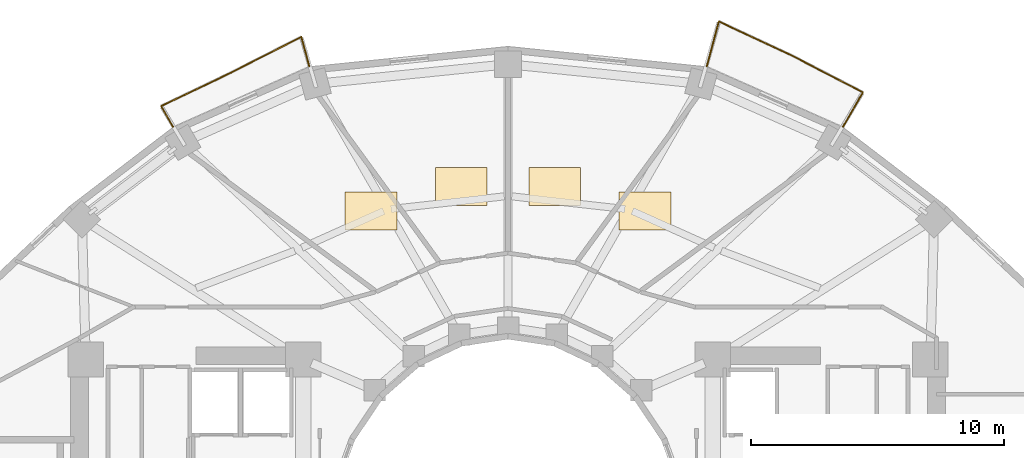
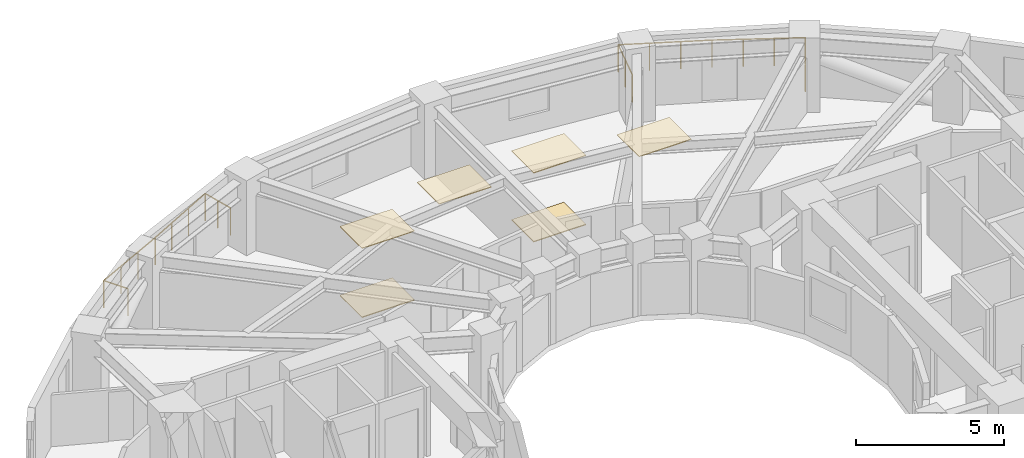
# One storey, part 10 of 10: 6 coverings, 2 railings.
"""IFC4 building model written with IfcOpenShell, lengths in metres."""

from ifc_helpers import new_model, si_unit, direction, frame, origin, origin_2d, place, context, subcontext, project, spatial, polyline, circle, outline, extrude, material, layer, layer_set, type_object, element, save


model = new_model("IFC4")

# Units and contexts
model_context = context("Model", 3, precision=1e-05, world=origin(), true_north=direction((0.0, 1.0)))
body_context = subcontext(model_context, "Body", "Model", "MODEL_VIEW")
ifc_project = project(units=[si_unit("LENGTHUNIT", "METRE"), si_unit("AREAUNIT", "SQUARE_METRE"), si_unit("VOLUMEUNIT", "CUBIC_METRE"), si_unit("PLANEANGLEUNIT", "RADIAN"), si_unit("MASSUNIT", "GRAM", prefix="KILO")], contexts=[model_context])

# Site, building, storey
site_placement = place(None, origin())
site = spatial("IfcSite", under=ifc_project, at=site_placement, CompositionType="ELEMENT")
building_placement = place(site_placement, origin())
building = spatial("IfcBuilding", under=site, at=building_placement, Name="Solvane Sanctuary Tower", CompositionType="ELEMENT")
storey_placement = place(building_placement, frame((0.0, 0.0, 107.300048828125)))
storey = spatial("IfcBuildingStorey", under=building, at=storey_placement, Name="L32", CompositionType="ELEMENT", Elevation=107.300048828125)

# Coverings
ifc_material_1 = material(Name="Acoustic Gypsum Partition Board")
ifc_layer_1 = layer(ifc_material_1, 0.02490234375, Name="Acoustic Gypsum Partition Board")
ifc_layer_set_1 = layer_set([ifc_layer_1], Name="Acoustic Gypsum Partition Board")
covering_type_1 = type_object("IfcCoveringType", Name="Covering CLG-ACOUST", PredefinedType="CEILING", material=ifc_layer_set_1)
covering_1_placement = place(storey_placement, frame((0.0, 0.0, 2.849853515625)))
element("IfcCovering", 1, at=covering_1_placement, inside=storey, type_object=covering_type_1, Name="L32 Unit Acoustic Ceiling Panel 1", PredefinedType="CEILING", context=body_context, shape_type="SweptSolid", body=[
    extrude(outline(polyline([(36.39404296875, 35.33203125), (38.444091796875, 35.33203125), (38.444091796875, 36.83203125), (36.39404296875, 36.83203125), (36.39404296875, 35.33203125)])), origin(), (0.0, 0.0, 1.0), 0.030029296875),
])
covering_2_placement = place(storey_placement, frame((0.0, 0.0, 2.849853515625)))
element("IfcCovering", 2, at=covering_2_placement, inside=storey, type_object=covering_type_1, Name="L32 Unit Acoustic Ceiling Panel 2", PredefinedType="CEILING", context=body_context, shape_type="SweptSolid", body=[
    extrude(outline(polyline([(32.822998046875, 36.2890625), (34.873046875, 36.2890625), (34.873046875, 37.7890625), (32.822998046875, 37.7890625), (32.822998046875, 36.2890625)])), origin(), (0.0, 0.0, 1.0), 0.030029296875),
])
covering_3_placement = place(storey_placement, frame((0.0, 0.0, 2.849853515625)))
element("IfcCovering", 3, at=covering_3_placement, inside=storey, type_object=covering_type_1, Name="L32 Unit Acoustic Ceiling Panel 3", PredefinedType="CEILING", context=body_context, shape_type="SweptSolid", body=[
    extrude(outline(polyline([(29.126953125, 36.2890625), (31.177001953125, 36.2890625), (31.177001953125, 37.7890625), (29.126953125, 37.7890625), (29.126953125, 36.2890625)])), origin(), (0.0, 0.0, 1.0), 0.030029296875),
])
covering_4_placement = place(storey_placement, frame((0.0, 0.0, 2.849853515625)))
element("IfcCovering", 4, at=covering_4_placement, inside=storey, type_object=covering_type_1, Name="L32 Unit Acoustic Ceiling Panel 4", PredefinedType="CEILING", context=body_context, shape_type="SweptSolid", body=[
    extrude(outline(polyline([(25.555908203125, 35.33203125), (27.60595703125, 35.33203125), (27.60595703125, 36.83203125), (25.555908203125, 36.83203125), (25.555908203125, 35.33203125)])), origin(), (0.0, 0.0, 1.0), 0.030029296875),
])
ifc_material_2 = material(Name="Ceramic Tile Finish")
ifc_layer_2 = layer(ifc_material_2, 0.030029296875, Name="Ceramic Tile Finish")
ifc_layer_set_2 = layer_set([ifc_layer_2], Name="Ceramic Tile Finish")
covering_type_2 = type_object("IfcCoveringType", Name="Covering FLR-TERRAZZO", PredefinedType="FLOORING", material=ifc_layer_set_2)
covering_5_placement = place(storey_placement, origin())
element("IfcCovering", 5, at=covering_5_placement, inside=storey, type_object=covering_type_2, Name="L32 Unit Terrazzo Inlay 2", PredefinedType="FLOORING", context=body_context, shape_type="SweptSolid", body=[
    extrude(outline(polyline([(32.822998046875, 36.2890625), (34.873046875, 36.2890625), (34.873046875, 37.7890625), (32.822998046875, 37.7890625), (32.822998046875, 36.2890625)])), origin(), (0.0, 0.0, 1.0), 0.034912109375),
])
covering_6_placement = place(storey_placement, origin())
element("IfcCovering", 6, at=covering_6_placement, inside=storey, type_object=covering_type_2, Name="L32 Unit Terrazzo Inlay 4", PredefinedType="FLOORING", context=body_context, shape_type="SweptSolid", body=[
    extrude(outline(polyline([(25.555908203125, 35.33203125), (27.60595703125, 35.33203125), (27.60595703125, 36.83203125), (25.555908203125, 36.83203125), (25.555908203125, 35.33203125)])), origin(), (0.0, 0.0, 1.0), 0.034912109375),
])

# Railings
ifc_material_3 = material(Name="Architectural Stainless Steel 316", Category="steel")
railing_type = type_object("IfcRailingType", Name="Railing GR-BALC-1150", PredefinedType="BALUSTRADE", material=ifc_material_3)
railing_1_placement = place(storey_placement, frame((45.249267578125, 39.404296875, 0.0)))
element("IfcRailing", 7, at=railing_1_placement, inside=storey, type_object=railing_type, Name="L32 Wave Balcony Balustrade N1", PredefinedType="BALUSTRADE", context=body_context, shape_type="SweptSolid", body=[
    extrude(circle(Radius=0.02392578125, at=origin_2d()), frame((0.0, 0.0, 1.1259765625), z_axis=(0.50011208427, 0.865960682229, 0.0), x_axis=(-0.865960682229, 0.50011208427, 0.0)), (0.0, 0.0, 1.0), 1.572998046875),
    extrude(circle(Radius=0.02392578125, at=origin_2d()), frame((0.78662109375, 1.362060546875, 1.1259765625), z_axis=(-0.888119879969, 0.459611878441, 0.0), x_axis=(-0.459611878441, -0.888119879969, 0.0)), (0.0, 0.0, 1.0), 3.163330078125),
    extrude(circle(Radius=0.02392578125, at=origin_2d()), frame((-2.022705078125, 2.81591796875, 1.1259765625), z_axis=(-0.906020758205, 0.423233252122, 0.0), x_axis=(-0.423233252122, -0.906020758205, 0.0)), (0.0, 0.0, 1.0), 3.189453125),
    extrude(circle(Radius=0.02392578125, at=origin_2d()), frame((-4.912353515625, 4.165771484375, 1.1259765625), z_axis=(-0.258820206775, -0.965925515019, 0.0), x_axis=(0.965925515019, -0.258820206775, 0.0)), (0.0, 0.0, 1.0), 1.83740234375),
    extrude(circle(Radius=0.02099609375, at=origin_2d()), origin(), (0.0, 0.0, 1.0), 1.101806640625),
    extrude(circle(Radius=0.02099609375, at=origin_2d()), frame((0.393310546875, 0.68115234375, 0.0)), (0.0, 0.0, 1.0), 1.101806640625),
    extrude(circle(Radius=0.02099609375, at=origin_2d()), frame((0.78662109375, 1.362060546875, 0.0)), (0.0, 0.0, 1.0), 1.101806640625),
    extrude(circle(Radius=0.02099609375, at=origin_2d()), frame((-0.14990234375, 1.8466796875, 0.0)), (0.0, 0.0, 1.0), 1.101806640625),
    extrude(circle(Radius=0.02099609375, at=origin_2d()), frame((-1.086181640625, 2.331298828125, 0.0)), (0.0, 0.0, 1.0), 1.101806640625),
    extrude(circle(Radius=0.02099609375, at=origin_2d()), frame((-2.022705078125, 2.81591796875, 0.0)), (0.0, 0.0, 1.0), 1.101806640625),
    extrude(circle(Radius=0.02099609375, at=origin_2d()), frame((-2.98583984375, 3.265869140625, 0.0)), (0.0, 0.0, 1.0), 1.101806640625),
    extrude(circle(Radius=0.02099609375, at=origin_2d()), frame((-3.94921875, 3.7158203125, 0.0)), (0.0, 0.0, 1.0), 1.101806640625),
    extrude(circle(Radius=0.02099609375, at=origin_2d()), frame((-4.912353515625, 4.165771484375, 0.0)), (0.0, 0.0, 1.0), 1.101806640625),
    extrude(circle(Radius=0.02099609375, at=origin_2d()), frame((-5.150146484375, 3.2783203125, 0.0)), (0.0, 0.0, 1.0), 1.101806640625),
    extrude(circle(Radius=0.02099609375, at=origin_2d()), frame((-5.387939453125, 2.390869140625, 0.0)), (0.0, 0.0, 1.0), 1.101806640625),
])
railing_2_placement = place(storey_placement, frame((24.138671875, 41.795166015625, 0.0)))
element("IfcRailing", 8, at=railing_2_placement, inside=storey, type_object=railing_type, Name="L32 Wave Balcony Balustrade N2", PredefinedType="BALUSTRADE", context=body_context, shape_type="SweptSolid", body=[
    extrude(circle(Radius=0.02392578125, at=origin_2d()), frame((0.0, 0.0, 1.1259765625), z_axis=(-0.258921450808, 0.965898380945, 0.0), x_axis=(-0.965898380945, -0.258921450808, 0.0)), (0.0, 0.0, 1.0), 1.20703125),
    extrude(circle(Radius=0.02392578125, at=origin_2d()), frame((-0.3125, 1.165771484375, 1.1259765625), z_axis=(-0.891029921961, -0.4539445761, 0.0), x_axis=(0.4539445761, -0.891029921961, 0.0)), (0.0, 0.0, 1.0), 3.113525390625),
    extrude(circle(Radius=0.02392578125, at=origin_2d()), frame((-3.086669921875, -0.24755859375, 1.1259765625), z_axis=(-0.901983620234, -0.431770250052, 0.0), x_axis=(0.431770250052, -0.901983620234, 0.0)), (0.0, 0.0, 1.0), 3.07373046875),
    extrude(circle(Radius=0.02392578125, at=origin_2d()), frame((-5.859130859375, -1.57470703125, 1.1259765625), z_axis=(0.499984077514, -0.866034596441, 0.0), x_axis=(0.866034596441, 0.499984077514, 0.0)), (0.0, 0.0, 1.0), 0.9423828125),
    extrude(circle(Radius=0.02099609375, at=origin_2d()), origin(), (0.0, 0.0, 1.0), 1.101806640625),
    extrude(circle(Radius=0.02099609375, at=origin_2d()), frame((-0.15625, 0.5830078125, 0.0)), (0.0, 0.0, 1.0), 1.101806640625),
    extrude(circle(Radius=0.02099609375, at=origin_2d()), frame((-0.3125, 1.165771484375, 0.0)), (0.0, 0.0, 1.0), 1.101806640625),
    extrude(circle(Radius=0.02099609375, at=origin_2d()), frame((-1.2373046875, 0.694580078125, 0.0)), (0.0, 0.0, 1.0), 1.101806640625),
    extrude(circle(Radius=0.02099609375, at=origin_2d()), frame((-2.161865234375, 0.2236328125, 0.0)), (0.0, 0.0, 1.0), 1.101806640625),
    extrude(circle(Radius=0.02099609375, at=origin_2d()), frame((-3.086669921875, -0.24755859375, 0.0)), (0.0, 0.0, 1.0), 1.101806640625),
    extrude(circle(Radius=0.02099609375, at=origin_2d()), frame((-4.0107421875, -0.68994140625, 0.0)), (0.0, 0.0, 1.0), 1.101806640625),
    extrude(circle(Radius=0.02099609375, at=origin_2d()), frame((-4.93505859375, -1.13232421875, 0.0)), (0.0, 0.0, 1.0), 1.101806640625),
    extrude(circle(Radius=0.02099609375, at=origin_2d()), frame((-5.859130859375, -1.57470703125, 0.0)), (0.0, 0.0, 1.0), 1.101806640625),
    extrude(circle(Radius=0.02099609375, at=origin_2d()), frame((-5.387939453125, -2.390869140625, 0.0)), (0.0, 0.0, 1.0), 1.101806640625),
])

save(model, "model.ifc")
